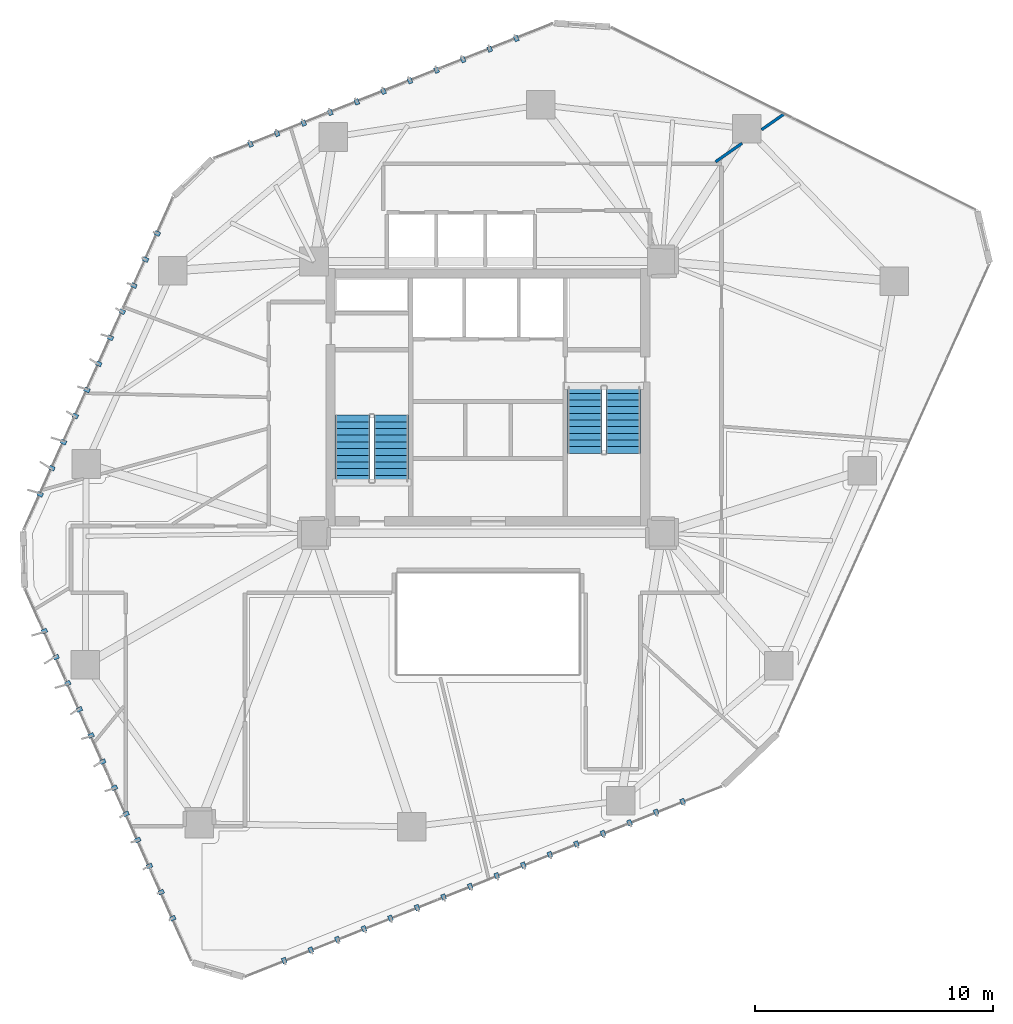
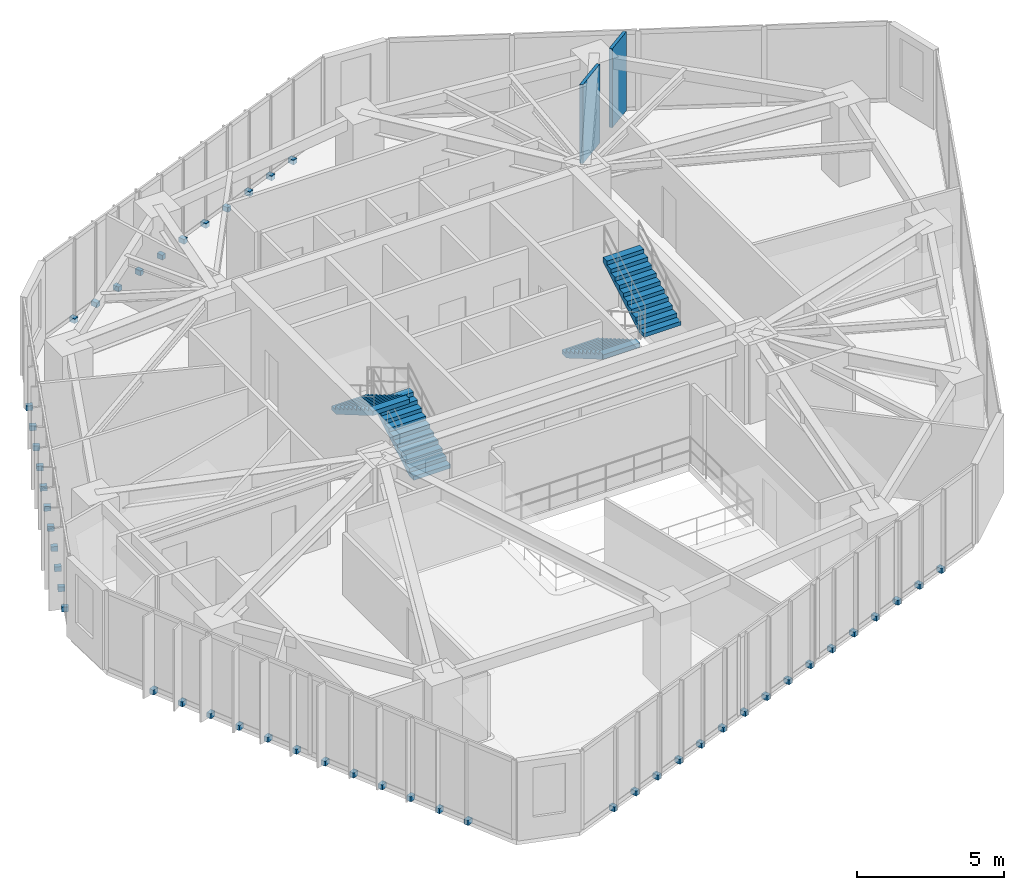
# One storey, part 19 of 22: 50 discrete accessories, 4 stair flights, 2 walls, 2 elements without a shape of their own.
"""IFC4 building model written with IfcOpenShell, lengths in metres."""

from ifc_helpers import new_model, si_unit, direction, frame, frame_2d, origin, origin_2d, place, context, subcontext, project, spatial, polyline, rectangle, outline, extrude, source, transform, mapped, material, layer, layer_set, type_object, type_shapes, element, aggregate, save


model = new_model("IFC4")

# Units and contexts
model_context = context("Model", 3, precision=1e-05, world=origin(), true_north=direction((0.0, 1.0)))
body_context = subcontext(model_context, "Body", "Model", "MODEL_VIEW")
ifc_project = project(units=[si_unit("LENGTHUNIT", "METRE"), si_unit("AREAUNIT", "SQUARE_METRE"), si_unit("VOLUMEUNIT", "CUBIC_METRE"), si_unit("PLANEANGLEUNIT", "RADIAN"), si_unit("MASSUNIT", "GRAM", prefix="KILO")], contexts=[model_context])

# Site, building, storey
site_placement = place(None, origin())
site = spatial("IfcSite", under=ifc_project, at=site_placement, CompositionType="ELEMENT")
building_placement = place(site_placement, origin())
building = spatial("IfcBuilding", under=site, at=building_placement, Name="Talar Marvaseh", CompositionType="ELEMENT")
storey_placement = place(building_placement, frame((0.0, 0.0, 154.199951171875)))
storey = spatial("IfcBuildingStorey", under=building, at=storey_placement, Name="L40", CompositionType="ELEMENT", Elevation=154.199951171875)

# Walls
ifc_material_1 = material(Name="Gypsum Board Partition Assembly")
ifc_layer_1 = layer(ifc_material_1, 0.1201171875)
ifc_layer_set_1 = layer_set([ifc_layer_1], Name="Gypsum Board Partition Assembly")
wall_type = type_object("IfcWallType", Name="Demountable Studio Room Partition 120", PredefinedType="PARTITIONING", material=ifc_layer_set_1)
wall_1_placement = place(storey_placement, frame((35.549560546875, 41.08349609375, 0.0), z_axis=(0.0, 0.0, 1.0), x_axis=(0.819451944027, 0.573147896647, 0.0)))
element("IfcWall", 1, at=wall_1_placement, inside=storey, type_object=wall_type, Name="L40 Interior Partition Wall", PredefinedType="PARTITIONING", context=body_context, shape_type="SweptSolid", body=[
    extrude(rectangle(XDim=1.35498046875, YDim=0.1201171875, at=frame_2d((0.677490234375, 0.0))), origin(), (0.0, 0.0, 1.0), 3.280029296875),
])
wall_2_placement = place(storey_placement, frame((37.47998046875, 42.429931640625, 0.0), z_axis=(0.0, 0.0, 1.0), x_axis=(0.820202164987, 0.57207377894, 0.0)))
element("IfcWall", 2, at=wall_2_placement, inside=storey, type_object=wall_type, Name="L40 Interior Partition Wall", PredefinedType="PARTITIONING", context=body_context, shape_type="SweptSolid", body=[
    extrude(rectangle(XDim=1.133544921875, YDim=0.1201171875, at=frame_2d((0.56689453125, 0.0))), origin(), (0.0, 0.0, 1.0), 3.280029296875),
])

# Stair, stair flights
ifc_material_2 = material(Name="Concrete C40/50", Category="concrete")
stair_type = type_object("IfcStairType", Name="Reinforced Concrete Half-Turn Exit Stair Type B", PredefinedType="HALF_TURN_STAIR", material=ifc_material_2)
stair_1_placement = place(storey_placement, origin())
stair_1 = element("IfcStair", 3, at=stair_1_placement, inside=storey, type_object=stair_type, Name="L40 Tower West Core Exit Stair", PredefinedType="HALF_TURN_STAIR")
ifc_layer_2 = layer(ifc_material_2, 0.159912109375)
ifc_layer_set_2 = layer_set([ifc_layer_2], Name="Concrete C40/50")
stair_flight_type = type_object("IfcStairFlightType", Name="Reinforced Concrete Straight Stair Flight 160", PredefinedType="STRAIGHT", material=ifc_layer_set_2)
stair_flight_1_placement = place(storey_placement, frame((21.93505859375, 27.64990234375, 0.0), z_axis=(0.0, 0.0, 1.0), x_axis=(0.0, 1.0, 0.0)))
stair_flight_1 = element("IfcStairFlight", 4, at=stair_flight_1_placement, type_object=stair_flight_type, Name="ST-1 flight 1", NumberOfRisers=11, NumberOfTreads=10, PredefinedType="STRAIGHT", RiserHeight=0.163636364, TreadLength=0.28, context=body_context, shape_type="SweptSolid", body=[
    extrude(outline(polyline([(0.0, 0.0), (0.0, 0.16357421875), (0.280029296875, 0.16357421875), (0.280029296875, 0.327392578125), (0.56005859375, 0.327392578125), (0.56005859375, 0.490966796875), (0.840087890625, 0.490966796875), (0.840087890625, 0.654541015625), (1.1201171875, 0.654541015625), (1.1201171875, 0.818115234375), (1.39990234375, 0.818115234375), (1.39990234375, 0.98193359375), (1.679931640625, 0.98193359375), (1.679931640625, 1.1455078125), (1.9599609375, 1.1455078125), (1.9599609375, 1.30908203125), (2.239990234375, 1.30908203125), (2.239990234375, 1.47265625), (2.52001953125, 1.47265625), (2.52001953125, 1.636474609375), (2.800048828125, 1.636474609375), (2.800048828125, 1.800048828125), (2.800048828125, 1.451171875), (0.31689453125, 0.0), (0.0, 0.0)])), frame((0.0, 0.72509765625, 0.0), z_axis=(0.0, -1.0, 0.0), x_axis=(1.0, 0.0, 0.0)), (0.0, 0.0, 1.0), 1.449951171875),
])
stair_flight_2_placement = place(storey_placement, frame((20.324951171875, 30.449951171875, 1.800048828125), z_axis=(0.0, 0.0, 1.0), x_axis=(0.0, -1.0, 0.0)))
stair_flight_2 = element("IfcStairFlight", 5, at=stair_flight_2_placement, type_object=stair_flight_type, Name="ST-1 flight 2", NumberOfRisers=11, NumberOfTreads=10, PredefinedType="STRAIGHT", RiserHeight=0.163636364, TreadLength=0.28, context=body_context, shape_type="SweptSolid", body=[
    extrude(outline(polyline([(0.0, 0.0), (0.0, 0.16357421875), (0.280029296875, 0.16357421875), (0.280029296875, 0.327392578125), (0.56005859375, 0.327392578125), (0.56005859375, 0.490966796875), (0.840087890625, 0.490966796875), (0.840087890625, 0.654541015625), (1.1201171875, 0.654541015625), (1.1201171875, 0.818115234375), (1.39990234375, 0.818115234375), (1.39990234375, 0.98193359375), (1.679931640625, 0.98193359375), (1.679931640625, 1.1455078125), (1.9599609375, 1.1455078125), (1.9599609375, 1.30908203125), (2.239990234375, 1.30908203125), (2.239990234375, 1.47265625), (2.52001953125, 1.47265625), (2.52001953125, 1.636474609375), (2.800048828125, 1.636474609375), (2.800048828125, 1.800048828125), (2.800048828125, 1.451171875), (0.31689453125, 0.0), (0.0, 0.0)])), frame((0.0, 0.72509765625, 0.0), z_axis=(0.0, -1.0, 0.0), x_axis=(1.0, 0.0, 0.0)), (0.0, 0.0, 1.0), 1.449951171875),
])
aggregate(stair_1, [stair_flight_1, stair_flight_2])

stair_2_placement = place(storey_placement, origin())
stair_2 = element("IfcStair", 6, at=stair_2_placement, inside=storey, type_object=stair_type, Name="L40 Tower East Core Exit Stair", PredefinedType="HALF_TURN_STAIR")
stair_flight_3_placement = place(storey_placement, frame((30.06494140625, 31.64990234375, 0.0), z_axis=(0.0, 0.0, 1.0), x_axis=(0.0, -1.0, 0.0)))
stair_flight_3 = element("IfcStairFlight", 7, at=stair_flight_3_placement, type_object=stair_flight_type, Name="ST-2 flight 1", NumberOfRisers=11, NumberOfTreads=10, PredefinedType="STRAIGHT", RiserHeight=0.163636364, TreadLength=0.28, context=body_context, shape_type="SweptSolid", body=[
    extrude(outline(polyline([(0.0, 0.0), (0.0, 0.16357421875), (0.280029296875, 0.16357421875), (0.280029296875, 0.327392578125), (0.56005859375, 0.327392578125), (0.56005859375, 0.490966796875), (0.840087890625, 0.490966796875), (0.840087890625, 0.654541015625), (1.1201171875, 0.654541015625), (1.1201171875, 0.818115234375), (1.39990234375, 0.818115234375), (1.39990234375, 0.98193359375), (1.679931640625, 0.98193359375), (1.679931640625, 1.1455078125), (1.9599609375, 1.1455078125), (1.9599609375, 1.30908203125), (2.239990234375, 1.30908203125), (2.239990234375, 1.47265625), (2.52001953125, 1.47265625), (2.52001953125, 1.636474609375), (2.800048828125, 1.636474609375), (2.800048828125, 1.800048828125), (2.800048828125, 1.451171875), (0.31689453125, 0.0), (0.0, 0.0)])), frame((0.0, 0.72509765625, 0.0), z_axis=(0.0, -1.0, 0.0), x_axis=(1.0, 0.0, 0.0)), (0.0, 0.0, 1.0), 1.449951171875),
])
stair_flight_4_placement = place(storey_placement, frame((31.675048828125, 28.85009765625, 1.800048828125), z_axis=(0.0, 0.0, 1.0), x_axis=(0.0, 1.0, 0.0)))
stair_flight_4 = element("IfcStairFlight", 8, at=stair_flight_4_placement, type_object=stair_flight_type, Name="ST-2 flight 2", NumberOfRisers=11, NumberOfTreads=10, PredefinedType="STRAIGHT", RiserHeight=0.163636364, TreadLength=0.28, context=body_context, shape_type="SweptSolid", body=[
    extrude(outline(polyline([(0.0, 0.0), (0.0, 0.16357421875), (0.280029296875, 0.16357421875), (0.280029296875, 0.327392578125), (0.56005859375, 0.327392578125), (0.56005859375, 0.490966796875), (0.840087890625, 0.490966796875), (0.840087890625, 0.654541015625), (1.1201171875, 0.654541015625), (1.1201171875, 0.818115234375), (1.39990234375, 0.818115234375), (1.39990234375, 0.98193359375), (1.679931640625, 0.98193359375), (1.679931640625, 1.1455078125), (1.9599609375, 1.1455078125), (1.9599609375, 1.30908203125), (2.239990234375, 1.30908203125), (2.239990234375, 1.47265625), (2.52001953125, 1.47265625), (2.52001953125, 1.636474609375), (2.800048828125, 1.636474609375), (2.800048828125, 1.800048828125), (2.800048828125, 1.451171875), (0.31689453125, 0.0), (0.0, 0.0)])), frame((0.0, 0.72509765625, 0.0), z_axis=(0.0, -1.0, 0.0), x_axis=(1.0, 0.0, 0.0)), (0.0, 0.0, 1.0), 1.449951171875),
])
aggregate(stair_2, [stair_flight_3, stair_flight_4])

# Discrete accessories
ifc_material_3 = material(Name="Stainless Steel Grade 316", Category="steel")
discrete_accessory_type = type_object("IfcDiscreteAccessoryType", Name="Stainless Slab-Edge Fin Mounting Bracket", PredefinedType="BRACKET", material=ifc_material_3)
shared_shape = source(origin(), body_context, "Body", "SweptSolid", [
    extrude(rectangle(XDim=0.239990234375, YDim=0.179931640625, at=origin_2d()), origin(), (0.0, 0.0, 1.0), 0.199951171875),
])
type_shapes(discrete_accessory_type, [shared_shape])
for number, where, z_axis, x_axis, name in (
    (9, (12.773681640625, 9.341064453125, -0.1796875), (0.0, 0.0, 1.0), (-0.912834177233, -0.408330460381, 0.0), "L40 Vertical Fin Slab-Edge Bracket"),
    (10, (12.28369140625, 10.4365234375, -0.1796875), (0.0, 0.0, 1.0), (-0.912834177233, -0.408330460381, 0.0), "L40 Vertical Fin Slab-Edge Bracket"),
    (11, (11.7939453125, 11.531982421875, -0.1796875), (0.0, 0.0, 1.0), (-0.912834177233, -0.408330460381, 0.0), "L40 Vertical Fin Slab-Edge Bracket"),
    (12, (11.303955078125, 12.627197265625, -0.1796875), (0.0, 0.0, 1.0), (-0.912834177233, -0.408330460381, 0.0), "L40 Vertical Fin Slab-Edge Bracket"),
    (13, (10.814208984375, 13.722900390625, -0.1796875), (0.0, 0.0, 1.0), (-0.912834177233, -0.408330460381, 0.0), "L40 Vertical Fin Slab-Edge Bracket"),
    (14, (10.32421875, 14.818115234375, -0.1796875), (0.0, 0.0, 1.0), (-0.912834177233, -0.408330460381, 0.0), "L40 Vertical Fin Slab-Edge Bracket"),
    (15, (9.834228515625, 15.91357421875, -0.1796875), (0.0, 0.0, 1.0), (-0.912834177233, -0.408330460381, 0.0), "L40 Vertical Fin Slab-Edge Bracket"),
    (16, (9.34423828125, 17.009033203125, -0.1796875), (0.0, 0.0, 1.0), (-0.912834177233, -0.408330460381, 0.0), "L40 Vertical Fin Slab-Edge Bracket"),
    (17, (8.8544921875, 18.1044921875, -0.1796875), (0.0, 0.0, 1.0), (-0.912834177233, -0.408330460381, 0.0), "L40 Vertical Fin Slab-Edge Bracket"),
    (18, (8.364501953125, 19.199951171875, -0.1796875), (0.0, 0.0, 1.0), (-0.912834177233, -0.408330460381, 0.0), "L40 Vertical Fin Slab-Edge Bracket"),
    (19, (7.87451171875, 20.29541015625, -0.1796875), (0.0, 0.0, 1.0), (-0.912834177233, -0.408330460381, 0.0), "L40 Vertical Fin Slab-Edge Bracket"),
    (20, (7.384521484375, 21.390869140625, -0.1796875), (0.0, 0.0, 1.0), (-0.912834177233, -0.408330460381, 0.0), "L40 Vertical Fin Slab-Edge Bracket"),
    (21, (7.2080078125, 27.1318359375, -0.1796875), (0.0, 0.0, 1.0), (-0.912263150732, 0.40960461889, 0.0), "L40 Vertical Fin Slab-Edge Bracket"),
    (22, (7.699462890625, 28.2265625, -0.1796875), (0.0, 0.0, 1.0), (-0.912263150732, 0.40960461889, 0.0), "L40 Vertical Fin Slab-Edge Bracket"),
    (23, (8.191162109375, 29.3212890625, -0.1796875), (0.0, 0.0, 1.0), (-0.912263150732, 0.40960461889, 0.0), "L40 Vertical Fin Slab-Edge Bracket"),
    (24, (8.6826171875, 30.416015625, -0.1796875), (0.0, 0.0, 1.0), (-0.912263150732, 0.40960461889, 0.0), "L40 Vertical Fin Slab-Edge Bracket"),
    (25, (9.17431640625, 31.510498046875, -0.1796875), (0.0, 0.0, 1.0), (-0.912263150732, 0.40960461889, 0.0), "L40 Vertical Fin Slab-Edge Bracket"),
    (26, (9.665771484375, 32.605224609375, -0.1796875), (0.0, 0.0, 1.0), (-0.912263150732, 0.40960461889, 0.0), "L40 Vertical Fin Slab-Edge Bracket"),
    (27, (10.157470703125, 33.699951171875, -0.1796875), (0.0, 0.0, 1.0), (-0.912263150732, 0.40960461889, 0.0), "L40 Vertical Fin Slab-Edge Bracket"),
    (28, (10.64892578125, 34.794677734375, -0.1796875), (0.0, 0.0, 1.0), (-0.912263150732, 0.40960461889, 0.0), "L40 Vertical Fin Slab-Edge Bracket"),
    (29, (11.140380859375, 35.889404296875, -0.1796875), (0.0, 0.0, 1.0), (-0.912263150732, 0.40960461889, 0.0), "L40 Vertical Fin Slab-Edge Bracket"),
    (30, (11.632080078125, 36.984130859375, -0.1796875), (0.0, 0.0, 1.0), (-0.912263150732, 0.40960461889, 0.0), "L40 Vertical Fin Slab-Edge Bracket"),
    (31, (12.12353515625, 38.078857421875, -0.1796875), (0.0, 0.0, 1.0), (-0.912263150732, 0.40960461889, 0.0), "L40 Vertical Fin Slab-Edge Bracket"),
    (32, (16.03662109375, 41.82470703125, -0.1796875), (0.0, 0.0, 1.0), (-0.369422406303, 0.929261580892, 0.0), "L40 Vertical Fin Slab-Edge Bracket"),
    (33, (17.151611328125, 42.26806640625, -0.1796875), (0.0, 0.0, 1.0), (-0.369422406303, 0.929261580892, 0.0), "L40 Vertical Fin Slab-Edge Bracket"),
    (34, (18.2666015625, 42.711181640625, -0.1796875), (0.0, 0.0, 1.0), (-0.369422406303, 0.929261580892, 0.0), "L40 Vertical Fin Slab-Edge Bracket"),
    (35, (19.3818359375, 43.15478515625, -0.1796875), (0.0, 0.0, 1.0), (-0.369422406303, 0.929261580892, 0.0), "L40 Vertical Fin Slab-Edge Bracket"),
    (36, (20.496826171875, 43.597900390625, -0.1796875), (0.0, 0.0, 1.0), (-0.369422406303, 0.929261580892, 0.0), "L40 Vertical Fin Slab-Edge Bracket"),
    (37, (21.612060546875, 44.04150390625, -0.1796875), (0.0, 0.0, 1.0), (-0.369422406303, 0.929261580892, 0.0), "L40 Vertical Fin Slab-Edge Bracket"),
    (38, (22.72705078125, 44.484619140625, -0.1796875), (0.0, 0.0, 1.0), (-0.369422406303, 0.929261580892, 0.0), "L40 Vertical Fin Slab-Edge Bracket"),
    (39, (23.84228515625, 44.927978515625, -0.1796875), (0.0, 0.0, 1.0), (-0.369422406303, 0.929261580892, 0.0), "L40 Vertical Fin Slab-Edge Bracket"),
    (40, (24.957275390625, 45.371337890625, -0.1796875), (0.0, 0.0, 1.0), (-0.369422406303, 0.929261580892, 0.0), "L40 Vertical Fin Slab-Edge Bracket"),
    (41, (26.072509765625, 45.814697265625, -0.1796875), (0.0, 0.0, 1.0), (-0.369422406303, 0.929261580892, 0.0), "L40 Vertical Fin Slab-Edge Bracket"),
    (42, (27.1875, 46.258056640625, -0.1796875), (0.0, 0.0, 1.0), (-0.369422406303, 0.929261580892, 0.0), "L40 Vertical Fin Slab-Edge Bracket"),
    (43, (34.169921875, 14.237060546875, -0.1796875), (0.0, 0.0, 1.0), (0.370719539713, -0.928744864252, 0.0), "L40 Vertical Fin Slab-Edge Bracket"),
    (44, (33.055419921875, 13.792236328125, -0.1796875), (0.0, 0.0, 1.0), (0.370719539713, -0.928744864252, 0.0), "L40 Vertical Fin Slab-Edge Bracket"),
    (45, (31.94091796875, 13.347412109375, -0.1796875), (0.0, 0.0, 1.0), (0.370719539713, -0.928744864252, 0.0), "L40 Vertical Fin Slab-Edge Bracket"),
    (46, (30.826416015625, 12.902587890625, -0.1796875), (0.0, 0.0, 1.0), (0.370719539713, -0.928744864252, 0.0), "L40 Vertical Fin Slab-Edge Bracket"),
    (47, (29.7119140625, 12.45751953125, -0.1796875), (0.0, 0.0, 1.0), (0.370719539713, -0.928744864252, 0.0), "L40 Vertical Fin Slab-Edge Bracket"),
    (48, (28.597412109375, 12.0126953125, -0.1796875), (0.0, 0.0, 1.0), (0.370719539713, -0.928744864252, 0.0), "L40 Vertical Fin Slab-Edge Bracket"),
    (49, (27.48291015625, 11.568115234375, -0.1796875), (0.0, 0.0, 1.0), (0.370719539713, -0.928744864252, 0.0), "L40 Vertical Fin Slab-Edge Bracket"),
    (50, (26.368408203125, 11.123046875, -0.1796875), (0.0, 0.0, 1.0), (0.370719539713, -0.928744864252, 0.0), "L40 Vertical Fin Slab-Edge Bracket"),
    (51, (25.25390625, 10.67822265625, -0.1796875), (0.0, 0.0, 1.0), (0.370719539713, -0.928744864252, 0.0), "L40 Vertical Fin Slab-Edge Bracket"),
    (52, (24.139404296875, 10.2333984375, -0.1796875), (0.0, 0.0, 1.0), (0.370719539713, -0.928744864252, 0.0), "L40 Vertical Fin Slab-Edge Bracket"),
    (53, (23.02490234375, 9.78857421875, -0.1796875), (0.0, 0.0, 1.0), (0.370719539713, -0.928744864252, 0.0), "L40 Vertical Fin Slab-Edge Bracket"),
    (54, (21.910400390625, 9.34375, -0.1796875), (0.0, 0.0, 1.0), (0.370719539713, -0.928744864252, 0.0), "L40 Vertical Fin Slab-Edge Bracket"),
    (55, (20.7958984375, 8.89892578125, -0.1796875), (0.0, 0.0, 1.0), (0.370719539713, -0.928744864252, 0.0), "L40 Vertical Fin Slab-Edge Bracket"),
    (56, (19.681396484375, 8.4541015625, -0.1796875), (0.0, 0.0, 1.0), (0.370719539713, -0.928744864252, 0.0), "L40 Vertical Fin Slab-Edge Bracket"),
    (57, (18.56689453125, 8.00927734375, -0.1796875), (0.0, 0.0, 1.0), (0.370719539713, -0.928744864252, 0.0), "L40 Vertical Fin Slab-Edge Bracket"),
    (58, (17.452392578125, 7.564453125, -0.1796875), (0.0, 0.0, 1.0), (0.370719539713, -0.928744864252, 0.0), "L40 Vertical Fin Slab-Edge Bracket"),
):
    element("IfcDiscreteAccessory", number, at=place(storey_placement, frame(where, z_axis=z_axis, x_axis=x_axis)), inside=storey, type_object=discrete_accessory_type, Name=name, PredefinedType="BRACKET", context=body_context, shape_type="MappedRepresentation", body=[
        mapped(shared_shape, transform((0.0, 0.0, 0.0), x_axis=(1.0, 0.0, 0.0), y_axis=(0.0, 1.0, 0.0), z_axis=(0.0, 0.0, 1.0), scale=1.0)),
    ])

save(model, "model.ifc")
